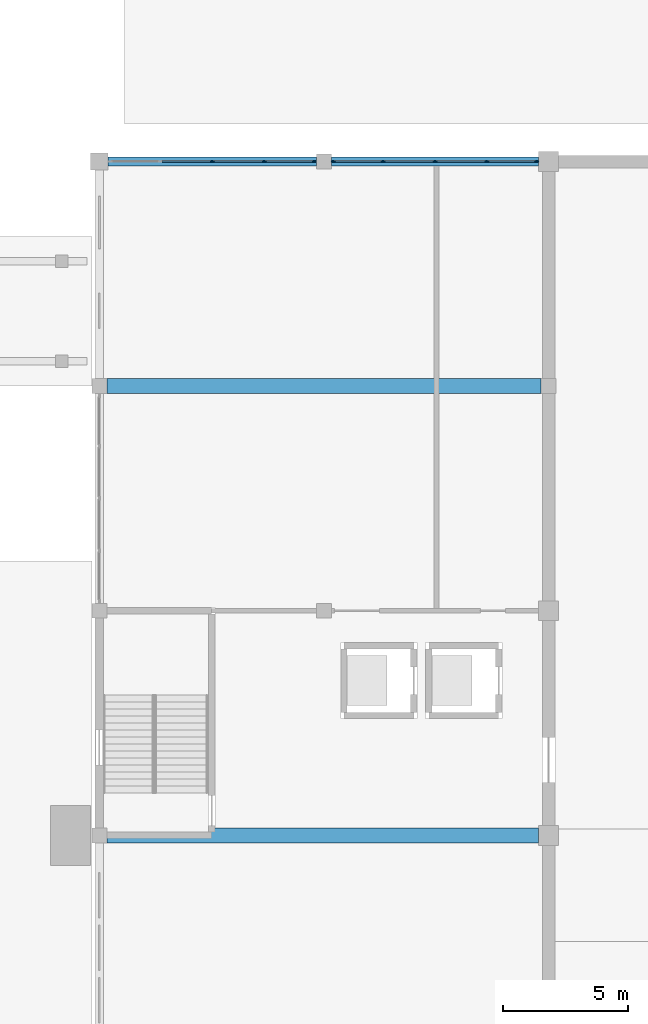
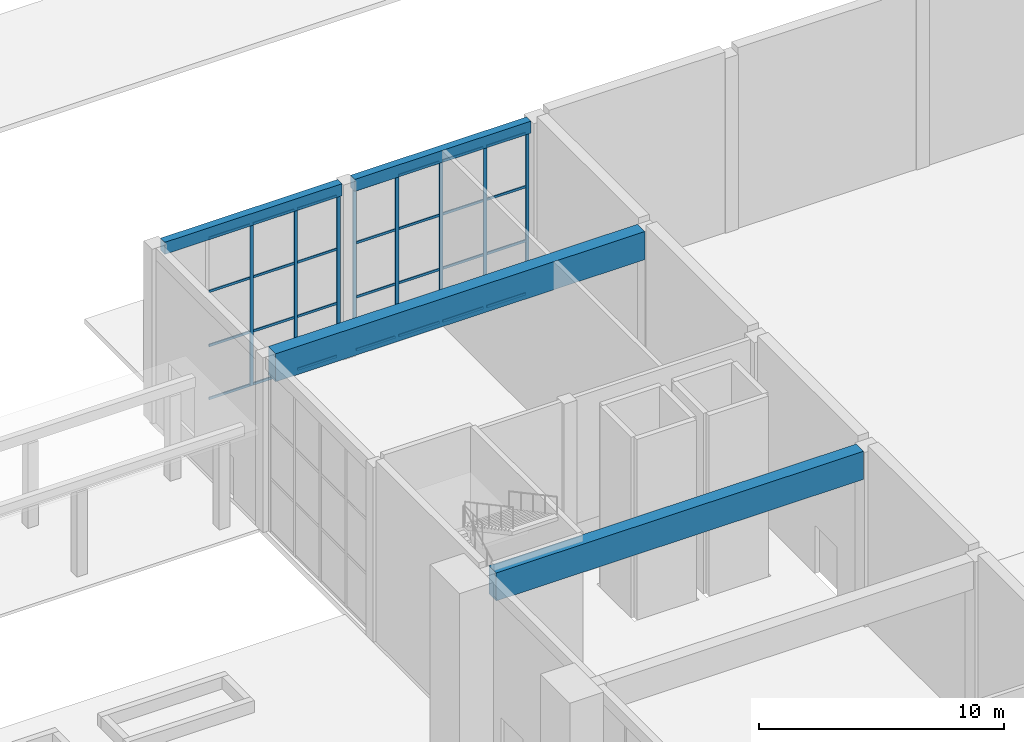
# One storey, part 15 of 44: 36 members, 4 beams, 2 elements without a shape of their own.
"""IFC4 building model written with IfcOpenShell, lengths in metres."""

from ifc_helpers import new_model, si_unit, direction, frame, origin, origin_2d, place, context, subcontext, project, spatial, rectangle, extrude, material, material_profile, profile_set, type_object, element, aggregate, save


model = new_model("IFC4")

# Units and contexts
model_context = context("Model", 3, precision=1e-05, world=origin(), true_north=direction((0.0, 1.0)))
body_context = subcontext(model_context, "Body", "Model", "MODEL_VIEW")
ifc_project = project(units=[si_unit("LENGTHUNIT", "METRE"), si_unit("AREAUNIT", "SQUARE_METRE"), si_unit("VOLUMEUNIT", "CUBIC_METRE"), si_unit("PLANEANGLEUNIT", "RADIAN"), si_unit("MASSUNIT", "GRAM", prefix="KILO")], contexts=[model_context])

# Site, building, storey
site_placement = place(None, origin())
site = spatial("IfcSite", under=ifc_project, at=site_placement, CompositionType="ELEMENT")
building_placement = place(site_placement, origin())
building = spatial("IfcBuilding", under=site, at=building_placement, Name="Firuza Court", CompositionType="ELEMENT")
storey_placement = place(building_placement, origin())
storey = spatial("IfcBuildingStorey", under=building, at=storey_placement, Name="L00", CompositionType="ELEMENT", Elevation=0.0)

# Curtain wall, members
ifc_material_1 = material(Name="Aluminium", Category="aluminium")
curtain_wall_type = type_object("IfcCurtainWallType", Name="CW6 FOYER CURTAIN WALL", PredefinedType="NOTDEFINED", material=ifc_material_1)
curtain_wall_1_placement = place(storey_placement, origin())
curtain_wall_1 = element("IfcCurtainWall", 1, at=curtain_wall_1_placement, inside=storey, type_object=curtain_wall_type, Name="CW6 foyer curtain wall 3", PredefinedType="NOTDEFINED")
ifc_material_2 = material(Name="Aluminium", Category="aluminium")
ifc_material_profile_1 = material_profile(ifc_material_2, rectangle(XDim=0.06005859375, YDim=0.159912109375, at=origin_2d()), Name="MULLION 60X160")
ifc_profile_set_1 = profile_set([ifc_material_profile_1], Name="Aluminium")
member_type_1 = type_object("IfcMemberType", Name="CW6 MULLION 60X160", PredefinedType="MULLION", material=ifc_profile_set_1)
member_1_placement = place(storey_placement, frame((94.52490234375, 45.0, 0.0), z_axis=(0.0, 0.0, 1.0), x_axis=(0.0, 1.0, 0.0)))
member_1 = element("IfcMember", 2, at=member_1_placement, type_object=member_type_1, Name="CW6 mullion 3", PredefinedType="MULLION", context=body_context, shape_type="SweptSolid", body=[
    extrude(rectangle(XDim=0.06005859375, YDim=0.159912109375, at=origin_2d()), origin(), (0.0, 0.0, 1.0), 8.10009765625),
])
member_2_placement = place(storey_placement, frame((96.612548828125, 45.0, 0.0), z_axis=(0.0, 0.0, 1.0), x_axis=(0.0, 1.0, 0.0)))
member_2 = element("IfcMember", 3, at=member_2_placement, type_object=member_type_1, Name="CW6 mullion 4", PredefinedType="MULLION", context=body_context, shape_type="SweptSolid", body=[
    extrude(rectangle(XDim=0.06005859375, YDim=0.159912109375, at=origin_2d()), origin(), (0.0, 0.0, 1.0), 8.10009765625),
])
member_3_placement = place(storey_placement, frame((98.6201171875, 45.0, 0.0), z_axis=(0.0, 0.0, 1.0), x_axis=(0.0, 1.0, 0.0)))
member_3 = element("IfcMember", 4, at=member_3_placement, type_object=member_type_1, Name="CW6 mullion 5", PredefinedType="MULLION", context=body_context, shape_type="SweptSolid", body=[
    extrude(rectangle(XDim=0.06005859375, YDim=0.159912109375, at=origin_2d()), origin(), (0.0, 0.0, 1.0), 8.10009765625),
])

curtain_wall_2_placement = place(storey_placement, origin())
curtain_wall_2 = element("IfcCurtainWall", 5, at=curtain_wall_2_placement, inside=storey, type_object=curtain_wall_type, Name="CW6 foyer curtain wall 4", PredefinedType="NOTDEFINED")
member_4_placement = place(storey_placement, frame((99.3798828125, 45.0, 0.0), z_axis=(0.0, 0.0, 1.0), x_axis=(0.0, 1.0, 0.0)))
member_4 = element("IfcMember", 6, at=member_4_placement, type_object=member_type_1, Name="CW6 mullion 1", PredefinedType="MULLION", context=body_context, shape_type="SweptSolid", body=[
    extrude(rectangle(XDim=0.06005859375, YDim=0.159912109375, at=origin_2d()), origin(), (0.0, 0.0, 1.0), 8.10009765625),
])
member_5_placement = place(storey_placement, frame((101.375, 45.0, 0.0), z_axis=(0.0, 0.0, 1.0), x_axis=(0.0, 1.0, 0.0)))
member_5 = element("IfcMember", 7, at=member_5_placement, type_object=member_type_1, Name="CW6 mullion 2", PredefinedType="MULLION", context=body_context, shape_type="SweptSolid", body=[
    extrude(rectangle(XDim=0.06005859375, YDim=0.159912109375, at=origin_2d()), origin(), (0.0, 0.0, 1.0), 8.10009765625),
])
member_6_placement = place(storey_placement, frame((103.449951171875, 45.0, 0.0), z_axis=(0.0, 0.0, 1.0), x_axis=(0.0, 1.0, 0.0)))
member_6 = element("IfcMember", 8, at=member_6_placement, type_object=member_type_1, Name="CW6 mullion 3", PredefinedType="MULLION", context=body_context, shape_type="SweptSolid", body=[
    extrude(rectangle(XDim=0.06005859375, YDim=0.159912109375, at=origin_2d()), origin(), (0.0, 0.0, 1.0), 8.10009765625),
])
member_7_placement = place(storey_placement, frame((105.52490234375, 45.0, 0.0), z_axis=(0.0, 0.0, 1.0), x_axis=(0.0, 1.0, 0.0)))
member_7 = element("IfcMember", 9, at=member_7_placement, type_object=member_type_1, Name="CW6 mullion 4", PredefinedType="MULLION", context=body_context, shape_type="SweptSolid", body=[
    extrude(rectangle(XDim=0.06005859375, YDim=0.159912109375, at=origin_2d()), origin(), (0.0, 0.0, 1.0), 8.10009765625),
])
member_8_placement = place(storey_placement, frame((107.52001953125, 45.0, 0.0), z_axis=(0.0, 0.0, 1.0), x_axis=(0.0, 1.0, 0.0)))
member_8 = element("IfcMember", 10, at=member_8_placement, type_object=member_type_1, Name="CW6 mullion 5", PredefinedType="MULLION", context=body_context, shape_type="SweptSolid", body=[
    extrude(rectangle(XDim=0.06005859375, YDim=0.159912109375, at=origin_2d()), origin(), (0.0, 0.0, 1.0), 8.10009765625),
])

# Member
ifc_material_3 = material(Name="Aluminium", Category="aluminium")
ifc_material_profile_2 = material_profile(ifc_material_3, rectangle(XDim=0.06005859375, YDim=0.1201171875, at=origin_2d()), Name="TRANSOM 60X120")
ifc_profile_set_2 = profile_set([ifc_material_profile_2], Name="Aluminium")
member_type_2 = type_object("IfcMemberType", Name="CW6 TRANSOM 60X120", PredefinedType="USERDEFINED", material=ifc_profile_set_2)
member_9_placement = place(storey_placement, frame((92.517578125, 45.0, 0.06005859375), z_axis=(1.0, 0.0, 0.0), x_axis=(0.0, 1.0, 0.0)))
member_9 = element("IfcMember", 11, at=member_9_placement, type_object=member_type_2, Name="CW6 transom 2.1", ObjectType="TRANSOM", PredefinedType="USERDEFINED", context=body_context, shape_type="SweptSolid", body=[
    extrude(rectangle(XDim=0.06005859375, YDim=0.1201171875, at=origin_2d()), origin(), (0.0, 0.0, 1.0), 1.927490234375),
])

member_10_placement = place(storey_placement, frame((92.517578125, 45.0, 2.699951171875), z_axis=(1.0, 0.0, 0.0), x_axis=(0.0, 1.0, 0.0)))
member_10 = element("IfcMember", 12, at=member_10_placement, type_object=member_type_2, Name="CW6 transom 2.2", ObjectType="TRANSOM", PredefinedType="USERDEFINED", context=body_context, shape_type="SweptSolid", body=[
    extrude(rectangle(XDim=0.06005859375, YDim=0.1201171875, at=origin_2d()), origin(), (0.0, 0.0, 1.0), 1.927490234375),
])

member_11_placement = place(storey_placement, frame((92.517578125, 45.0, 5.39990234375), z_axis=(1.0, 0.0, 0.0), x_axis=(0.0, 1.0, 0.0)))
member_11 = element("IfcMember", 13, at=member_11_placement, type_object=member_type_2, Name="CW6 transom 2.3", ObjectType="TRANSOM", PredefinedType="USERDEFINED", context=body_context, shape_type="SweptSolid", body=[
    extrude(rectangle(XDim=0.06005859375, YDim=0.1201171875, at=origin_2d()), origin(), (0.0, 0.0, 1.0), 1.927490234375),
])

member_12_placement = place(storey_placement, frame((92.517578125, 45.0, 8.0400390625), z_axis=(1.0, 0.0, 0.0), x_axis=(0.0, 1.0, 0.0)))
member_12 = element("IfcMember", 14, at=member_12_placement, type_object=member_type_2, Name="CW6 transom 2.4", ObjectType="TRANSOM", PredefinedType="USERDEFINED", context=body_context, shape_type="SweptSolid", body=[
    extrude(rectangle(XDim=0.06005859375, YDim=0.1201171875, at=origin_2d()), origin(), (0.0, 0.0, 1.0), 1.927490234375),
])

member_13_placement = place(storey_placement, frame((94.60498046875, 45.0, 0.06005859375), z_axis=(1.0, 0.0, 0.0), x_axis=(0.0, 1.0, 0.0)))
member_13 = element("IfcMember", 15, at=member_13_placement, type_object=member_type_2, Name="CW6 transom 3.1", ObjectType="TRANSOM", PredefinedType="USERDEFINED", context=body_context, shape_type="SweptSolid", body=[
    extrude(rectangle(XDim=0.06005859375, YDim=0.1201171875, at=origin_2d()), origin(), (0.0, 0.0, 1.0), 1.927490234375),
])

member_14_placement = place(storey_placement, frame((94.60498046875, 45.0, 2.699951171875), z_axis=(1.0, 0.0, 0.0), x_axis=(0.0, 1.0, 0.0)))
member_14 = element("IfcMember", 16, at=member_14_placement, type_object=member_type_2, Name="CW6 transom 3.2", ObjectType="TRANSOM", PredefinedType="USERDEFINED", context=body_context, shape_type="SweptSolid", body=[
    extrude(rectangle(XDim=0.06005859375, YDim=0.1201171875, at=origin_2d()), origin(), (0.0, 0.0, 1.0), 1.927490234375),
])

member_15_placement = place(storey_placement, frame((94.60498046875, 45.0, 5.39990234375), z_axis=(1.0, 0.0, 0.0), x_axis=(0.0, 1.0, 0.0)))
member_15 = element("IfcMember", 17, at=member_15_placement, type_object=member_type_2, Name="CW6 transom 3.3", ObjectType="TRANSOM", PredefinedType="USERDEFINED", context=body_context, shape_type="SweptSolid", body=[
    extrude(rectangle(XDim=0.06005859375, YDim=0.1201171875, at=origin_2d()), origin(), (0.0, 0.0, 1.0), 1.927490234375),
])

member_16_placement = place(storey_placement, frame((94.60498046875, 45.0, 8.0400390625), z_axis=(1.0, 0.0, 0.0), x_axis=(0.0, 1.0, 0.0)))
member_16 = element("IfcMember", 18, at=member_16_placement, type_object=member_type_2, Name="CW6 transom 3.4", ObjectType="TRANSOM", PredefinedType="USERDEFINED", context=body_context, shape_type="SweptSolid", body=[
    extrude(rectangle(XDim=0.06005859375, YDim=0.1201171875, at=origin_2d()), origin(), (0.0, 0.0, 1.0), 1.927490234375),
])

member_17_placement = place(storey_placement, frame((96.6923828125, 45.0, 0.06005859375), z_axis=(1.0, 0.0, 0.0), x_axis=(0.0, 1.0, 0.0)))
member_17 = element("IfcMember", 19, at=member_17_placement, type_object=member_type_2, Name="CW6 transom 4.1", ObjectType="TRANSOM", PredefinedType="USERDEFINED", context=body_context, shape_type="SweptSolid", body=[
    extrude(rectangle(XDim=0.06005859375, YDim=0.1201171875, at=origin_2d()), origin(), (0.0, 0.0, 1.0), 1.84765625),
])

member_18_placement = place(storey_placement, frame((96.6923828125, 45.0, 2.699951171875), z_axis=(1.0, 0.0, 0.0), x_axis=(0.0, 1.0, 0.0)))
member_18 = element("IfcMember", 20, at=member_18_placement, type_object=member_type_2, Name="CW6 transom 4.2", ObjectType="TRANSOM", PredefinedType="USERDEFINED", context=body_context, shape_type="SweptSolid", body=[
    extrude(rectangle(XDim=0.06005859375, YDim=0.1201171875, at=origin_2d()), origin(), (0.0, 0.0, 1.0), 1.84765625),
])

member_19_placement = place(storey_placement, frame((96.6923828125, 45.0, 5.39990234375), z_axis=(1.0, 0.0, 0.0), x_axis=(0.0, 1.0, 0.0)))
member_19 = element("IfcMember", 21, at=member_19_placement, type_object=member_type_2, Name="CW6 transom 4.3", ObjectType="TRANSOM", PredefinedType="USERDEFINED", context=body_context, shape_type="SweptSolid", body=[
    extrude(rectangle(XDim=0.06005859375, YDim=0.1201171875, at=origin_2d()), origin(), (0.0, 0.0, 1.0), 1.84765625),
])

member_20_placement = place(storey_placement, frame((96.6923828125, 45.0, 8.0400390625), z_axis=(1.0, 0.0, 0.0), x_axis=(0.0, 1.0, 0.0)))
member_20 = element("IfcMember", 22, at=member_20_placement, type_object=member_type_2, Name="CW6 transom 4.4", ObjectType="TRANSOM", PredefinedType="USERDEFINED", context=body_context, shape_type="SweptSolid", body=[
    extrude(rectangle(XDim=0.06005859375, YDim=0.1201171875, at=origin_2d()), origin(), (0.0, 0.0, 1.0), 1.84765625),
])

aggregate(curtain_wall_1, [member_1, member_2, member_3, member_9, member_10, member_11, member_12, member_13, member_14, member_15, member_16, member_17, member_18, member_19, member_20])

member_21_placement = place(storey_placement, frame((99.4599609375, 45.0, 0.06005859375), z_axis=(1.0, 0.0, 0.0), x_axis=(0.0, 1.0, 0.0)))
member_21 = element("IfcMember", 23, at=member_21_placement, type_object=member_type_2, Name="CW6 transom 1.1", ObjectType="TRANSOM", PredefinedType="USERDEFINED", context=body_context, shape_type="SweptSolid", body=[
    extrude(rectangle(XDim=0.06005859375, YDim=0.1201171875, at=origin_2d()), origin(), (0.0, 0.0, 1.0), 1.8349609375),
])

member_22_placement = place(storey_placement, frame((99.4599609375, 45.0, 2.699951171875), z_axis=(1.0, 0.0, 0.0), x_axis=(0.0, 1.0, 0.0)))
member_22 = element("IfcMember", 24, at=member_22_placement, type_object=member_type_2, Name="CW6 transom 1.2", ObjectType="TRANSOM", PredefinedType="USERDEFINED", context=body_context, shape_type="SweptSolid", body=[
    extrude(rectangle(XDim=0.06005859375, YDim=0.1201171875, at=origin_2d()), origin(), (0.0, 0.0, 1.0), 1.8349609375),
])

member_23_placement = place(storey_placement, frame((99.4599609375, 45.0, 5.39990234375), z_axis=(1.0, 0.0, 0.0), x_axis=(0.0, 1.0, 0.0)))
member_23 = element("IfcMember", 25, at=member_23_placement, type_object=member_type_2, Name="CW6 transom 1.3", ObjectType="TRANSOM", PredefinedType="USERDEFINED", context=body_context, shape_type="SweptSolid", body=[
    extrude(rectangle(XDim=0.06005859375, YDim=0.1201171875, at=origin_2d()), origin(), (0.0, 0.0, 1.0), 1.8349609375),
])

member_24_placement = place(storey_placement, frame((99.4599609375, 45.0, 8.0400390625), z_axis=(1.0, 0.0, 0.0), x_axis=(0.0, 1.0, 0.0)))
member_24 = element("IfcMember", 26, at=member_24_placement, type_object=member_type_2, Name="CW6 transom 1.4", ObjectType="TRANSOM", PredefinedType="USERDEFINED", context=body_context, shape_type="SweptSolid", body=[
    extrude(rectangle(XDim=0.06005859375, YDim=0.1201171875, at=origin_2d()), origin(), (0.0, 0.0, 1.0), 1.8349609375),
])

member_25_placement = place(storey_placement, frame((101.455078125, 45.0, 0.06005859375), z_axis=(1.0, 0.0, 0.0), x_axis=(0.0, 1.0, 0.0)))
member_25 = element("IfcMember", 27, at=member_25_placement, type_object=member_type_2, Name="CW6 transom 2.1", ObjectType="TRANSOM", PredefinedType="USERDEFINED", context=body_context, shape_type="SweptSolid", body=[
    extrude(rectangle(XDim=0.06005859375, YDim=0.1201171875, at=origin_2d()), origin(), (0.0, 0.0, 1.0), 1.9150390625),
])

member_26_placement = place(storey_placement, frame((101.455078125, 45.0, 2.699951171875), z_axis=(1.0, 0.0, 0.0), x_axis=(0.0, 1.0, 0.0)))
member_26 = element("IfcMember", 28, at=member_26_placement, type_object=member_type_2, Name="CW6 transom 2.2", ObjectType="TRANSOM", PredefinedType="USERDEFINED", context=body_context, shape_type="SweptSolid", body=[
    extrude(rectangle(XDim=0.06005859375, YDim=0.1201171875, at=origin_2d()), origin(), (0.0, 0.0, 1.0), 1.9150390625),
])

member_27_placement = place(storey_placement, frame((101.455078125, 45.0, 5.39990234375), z_axis=(1.0, 0.0, 0.0), x_axis=(0.0, 1.0, 0.0)))
member_27 = element("IfcMember", 29, at=member_27_placement, type_object=member_type_2, Name="CW6 transom 2.3", ObjectType="TRANSOM", PredefinedType="USERDEFINED", context=body_context, shape_type="SweptSolid", body=[
    extrude(rectangle(XDim=0.06005859375, YDim=0.1201171875, at=origin_2d()), origin(), (0.0, 0.0, 1.0), 1.9150390625),
])

member_28_placement = place(storey_placement, frame((101.455078125, 45.0, 8.0400390625), z_axis=(1.0, 0.0, 0.0), x_axis=(0.0, 1.0, 0.0)))
member_28 = element("IfcMember", 30, at=member_28_placement, type_object=member_type_2, Name="CW6 transom 2.4", ObjectType="TRANSOM", PredefinedType="USERDEFINED", context=body_context, shape_type="SweptSolid", body=[
    extrude(rectangle(XDim=0.06005859375, YDim=0.1201171875, at=origin_2d()), origin(), (0.0, 0.0, 1.0), 1.9150390625),
])

member_29_placement = place(storey_placement, frame((103.530029296875, 45.0, 0.06005859375), z_axis=(1.0, 0.0, 0.0), x_axis=(0.0, 1.0, 0.0)))
member_29 = element("IfcMember", 31, at=member_29_placement, type_object=member_type_2, Name="CW6 transom 3.1", ObjectType="TRANSOM", PredefinedType="USERDEFINED", context=body_context, shape_type="SweptSolid", body=[
    extrude(rectangle(XDim=0.06005859375, YDim=0.1201171875, at=origin_2d()), origin(), (0.0, 0.0, 1.0), 1.9150390625),
])

member_30_placement = place(storey_placement, frame((103.530029296875, 45.0, 2.699951171875), z_axis=(1.0, 0.0, 0.0), x_axis=(0.0, 1.0, 0.0)))
member_30 = element("IfcMember", 32, at=member_30_placement, type_object=member_type_2, Name="CW6 transom 3.2", ObjectType="TRANSOM", PredefinedType="USERDEFINED", context=body_context, shape_type="SweptSolid", body=[
    extrude(rectangle(XDim=0.06005859375, YDim=0.1201171875, at=origin_2d()), origin(), (0.0, 0.0, 1.0), 1.9150390625),
])

member_31_placement = place(storey_placement, frame((103.530029296875, 45.0, 5.39990234375), z_axis=(1.0, 0.0, 0.0), x_axis=(0.0, 1.0, 0.0)))
member_31 = element("IfcMember", 33, at=member_31_placement, type_object=member_type_2, Name="CW6 transom 3.3", ObjectType="TRANSOM", PredefinedType="USERDEFINED", context=body_context, shape_type="SweptSolid", body=[
    extrude(rectangle(XDim=0.06005859375, YDim=0.1201171875, at=origin_2d()), origin(), (0.0, 0.0, 1.0), 1.9150390625),
])

member_32_placement = place(storey_placement, frame((103.530029296875, 45.0, 8.0400390625), z_axis=(1.0, 0.0, 0.0), x_axis=(0.0, 1.0, 0.0)))
member_32 = element("IfcMember", 34, at=member_32_placement, type_object=member_type_2, Name="CW6 transom 3.4", ObjectType="TRANSOM", PredefinedType="USERDEFINED", context=body_context, shape_type="SweptSolid", body=[
    extrude(rectangle(XDim=0.06005859375, YDim=0.1201171875, at=origin_2d()), origin(), (0.0, 0.0, 1.0), 1.9150390625),
])

member_33_placement = place(storey_placement, frame((105.60498046875, 45.0, 0.06005859375), z_axis=(1.0, 0.0, 0.0), x_axis=(0.0, 1.0, 0.0)))
member_33 = element("IfcMember", 35, at=member_33_placement, type_object=member_type_2, Name="CW6 transom 4.1", ObjectType="TRANSOM", PredefinedType="USERDEFINED", context=body_context, shape_type="SweptSolid", body=[
    extrude(rectangle(XDim=0.06005859375, YDim=0.1201171875, at=origin_2d()), origin(), (0.0, 0.0, 1.0), 1.8349609375),
])

member_34_placement = place(storey_placement, frame((105.60498046875, 45.0, 2.699951171875), z_axis=(1.0, 0.0, 0.0), x_axis=(0.0, 1.0, 0.0)))
member_34 = element("IfcMember", 36, at=member_34_placement, type_object=member_type_2, Name="CW6 transom 4.2", ObjectType="TRANSOM", PredefinedType="USERDEFINED", context=body_context, shape_type="SweptSolid", body=[
    extrude(rectangle(XDim=0.06005859375, YDim=0.1201171875, at=origin_2d()), origin(), (0.0, 0.0, 1.0), 1.8349609375),
])

member_35_placement = place(storey_placement, frame((105.60498046875, 45.0, 5.39990234375), z_axis=(1.0, 0.0, 0.0), x_axis=(0.0, 1.0, 0.0)))
member_35 = element("IfcMember", 37, at=member_35_placement, type_object=member_type_2, Name="CW6 transom 4.3", ObjectType="TRANSOM", PredefinedType="USERDEFINED", context=body_context, shape_type="SweptSolid", body=[
    extrude(rectangle(XDim=0.06005859375, YDim=0.1201171875, at=origin_2d()), origin(), (0.0, 0.0, 1.0), 1.8349609375),
])

member_36_placement = place(storey_placement, frame((105.60498046875, 45.0, 8.0400390625), z_axis=(1.0, 0.0, 0.0), x_axis=(0.0, 1.0, 0.0)))
member_36 = element("IfcMember", 38, at=member_36_placement, type_object=member_type_2, Name="CW6 transom 4.4", ObjectType="TRANSOM", PredefinedType="USERDEFINED", context=body_context, shape_type="SweptSolid", body=[
    extrude(rectangle(XDim=0.06005859375, YDim=0.1201171875, at=origin_2d()), origin(), (0.0, 0.0, 1.0), 1.8349609375),
])

aggregate(curtain_wall_2, [member_4, member_5, member_6, member_7, member_8, member_21, member_22, member_23, member_24, member_25, member_26, member_27, member_28, member_29, member_30, member_31, member_32, member_33, member_34, member_35, member_36])

# Beams
ifc_material_4 = material(Name="Concrete C40/50", Category="concrete")
ifc_material_profile_3 = material_profile(ifc_material_4, rectangle(XDim=0.35009765625, YDim=0.60009765625, at=origin_2d()), Name="RC 350X600")
ifc_profile_set_3 = profile_set([ifc_material_profile_3], Name="Concrete C40/50")
beam_type_1 = type_object("IfcBeamType", Name="RC CONTINUOUS BEAM 350X600", PredefinedType="BEAM", material=ifc_profile_set_3)
beam_1_placement = place(storey_placement, frame((99.300048828125, 45.0, 8.39990234375), z_axis=(1.0, 0.0, 0.0), x_axis=(0.0, 1.0, 0.0)))
element("IfcBeam", 39, at=beam_1_placement, inside=storey, type_object=beam_type_1, Name="Edge beam N4.1 L00", PredefinedType="BEAM", context=body_context, shape_type="SweptSolid", body=[
    extrude(rectangle(XDim=0.35009765625, YDim=0.60009765625, at=origin_2d()), origin(), (0.0, 0.0, 1.0), 8.300048828125),
])
ifc_material_5 = material(Name="Concrete C40/50", Category="concrete")
ifc_material_profile_4 = material_profile(ifc_material_5, rectangle(XDim=0.60009765625, YDim=1.39990234375, at=origin_2d()), Name="RC 600X1400")
ifc_profile_set_4 = profile_set([ifc_material_profile_4], Name="Concrete C40/50")
beam_type_2 = type_object("IfcBeamType", Name="RC CONTINUOUS GIRDER 600X1400", PredefinedType="BEAM", material=ifc_profile_set_4)
beam_2_placement = place(storey_placement, frame((90.300537109375, 36.0, 8.0), z_axis=(1.0, 0.0, 0.0), x_axis=(0.0, 1.0, 0.0)))
element("IfcBeam", 40, at=beam_2_placement, inside=storey, type_object=beam_type_2, Name="Girder 36 L00", PredefinedType="BEAM", context=body_context, shape_type="SweptSolid", body=[
    extrude(rectangle(XDim=0.60009765625, YDim=1.39990234375, at=origin_2d()), origin(), (0.0, 0.0, 1.0), 17.39892578125),
])
ifc_material_6 = material(Name="Concrete C40/50", Category="concrete")
ifc_material_profile_5 = material_profile(ifc_material_6, rectangle(XDim=0.60009765625, YDim=1.39990234375, at=origin_2d()), Name="RC 600X1400")
ifc_profile_set_5 = profile_set([ifc_material_profile_5], Name="Concrete C40/50")
beam_type_3 = type_object("IfcBeamType", Name="RC GIRDER 600X1400", PredefinedType="BEAM", material=ifc_profile_set_5)
beam_3_placement = place(storey_placement, frame((90.300537109375, 18.0, 8.0), z_axis=(1.0, 0.0, 0.0), x_axis=(0.0, 1.0, 0.0)))
element("IfcBeam", 41, at=beam_3_placement, inside=storey, type_object=beam_type_3, Name="Girder 18 L00", PredefinedType="BEAM", context=body_context, shape_type="SweptSolid", body=[
    extrude(rectangle(XDim=0.60009765625, YDim=1.39990234375, at=origin_2d()), origin(), (0.0, 0.0, 1.0), 17.299072265625),
])
ifc_material_7 = material(Name="Concrete C40/50", Category="concrete")
ifc_material_profile_6 = material_profile(ifc_material_7, rectangle(XDim=0.35009765625, YDim=0.60009765625, at=origin_2d()), Name="RC 350X600")
ifc_profile_set_6 = profile_set([ifc_material_profile_6], Name="Concrete C40/50")
beam_type_4 = type_object("IfcBeamType", Name="RC SPANDREL BEAM 350X600", PredefinedType="BEAM", material=ifc_profile_set_6)
beam_4_placement = place(storey_placement, frame((90.35009765625, 45.0, 8.39990234375), z_axis=(1.0, 0.0, 0.0), x_axis=(0.0, 1.0, 0.0)))
element("IfcBeam", 42, at=beam_4_placement, inside=storey, type_object=beam_type_4, Name="Edge beam N2.1 L00", PredefinedType="BEAM", context=body_context, shape_type="SweptSolid", body=[
    extrude(rectangle(XDim=0.35009765625, YDim=0.60009765625, at=origin_2d()), origin(), (0.0, 0.0, 1.0), 8.349853515625),
])

save(model, "model.ifc")
